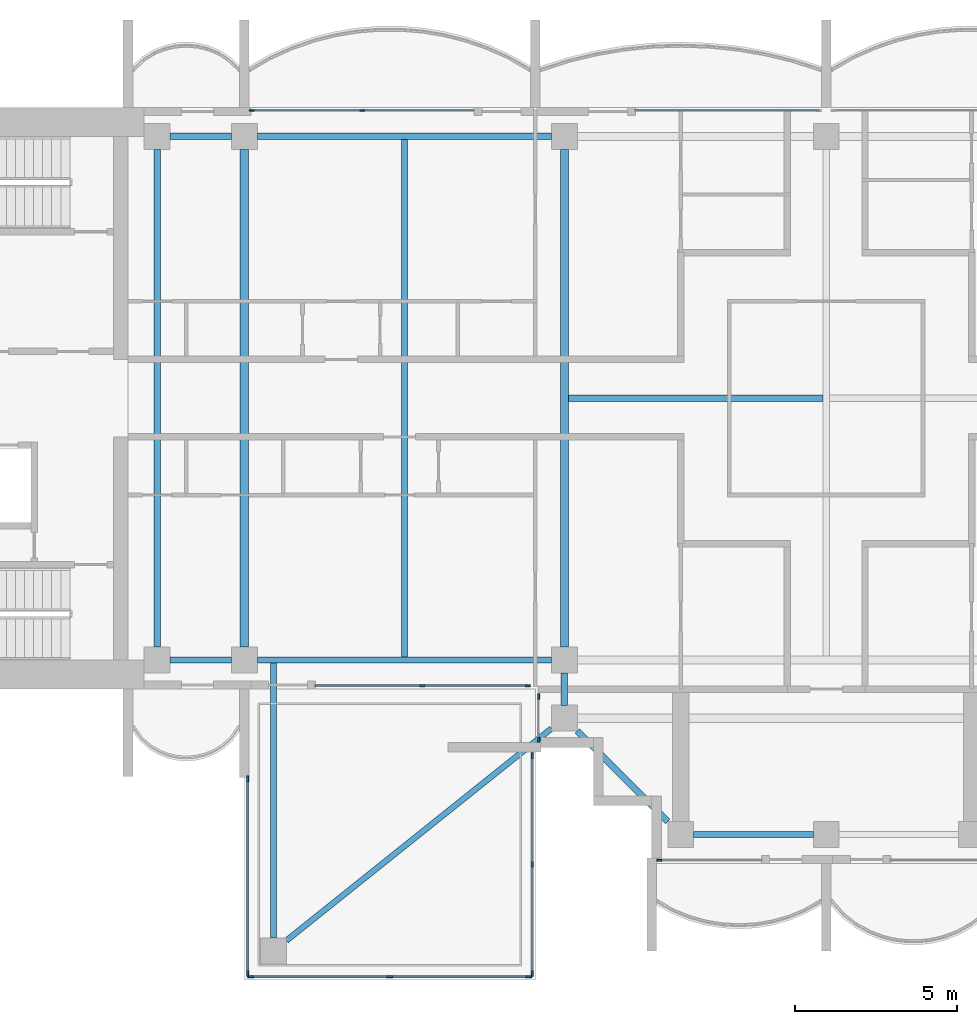
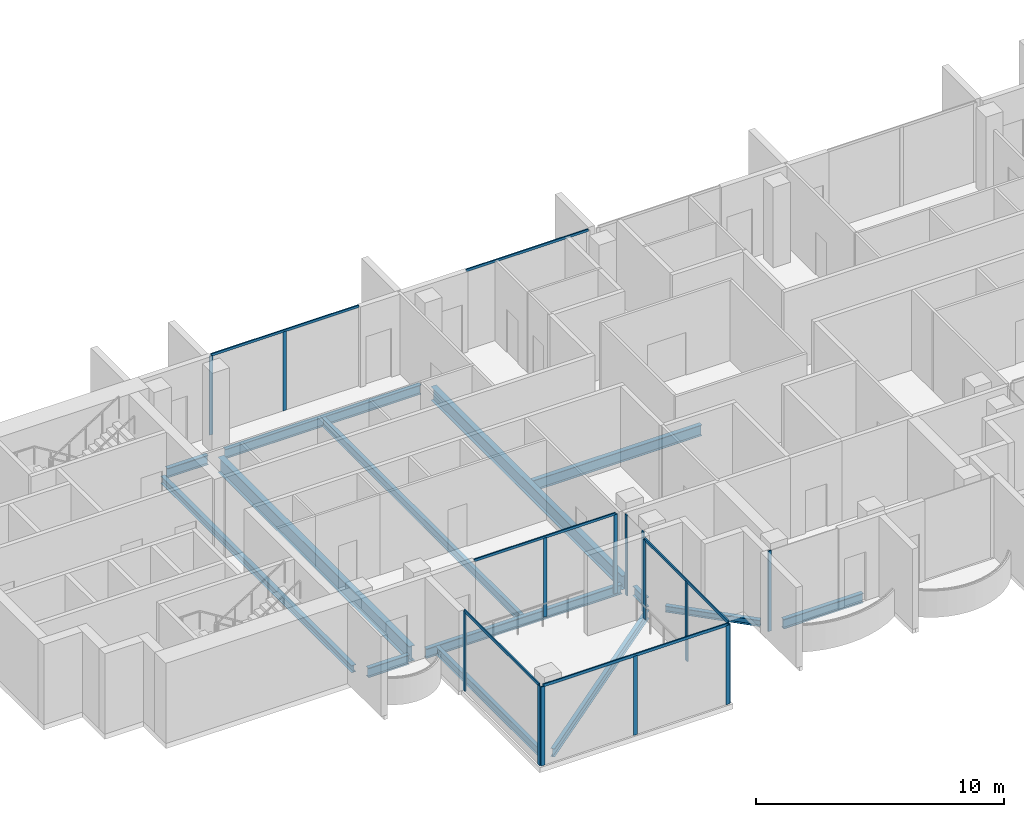
# One storey, part 2 of 16: 21 members, 14 beams, 8 elements without a shape of their own.
"""IFC4 building model written with IfcOpenShell, lengths in metres."""

from ifc_helpers import new_model, si_unit, direction, frame, origin, origin_2d, place, context, subcontext, project, spatial, rectangle, i_section, extrude, material, material_profile, profile_set, type_object, element, aggregate, save


model = new_model("IFC4")

# Units and contexts
model_context = context("Model", 3, precision=1e-05, world=origin(), true_north=direction((0.0, 1.0)))
body_context = subcontext(model_context, "Body", "Model", "MODEL_VIEW")
ifc_project = project(units=[si_unit("LENGTHUNIT", "METRE"), si_unit("AREAUNIT", "SQUARE_METRE"), si_unit("VOLUMEUNIT", "CUBIC_METRE"), si_unit("PLANEANGLEUNIT", "RADIAN"), si_unit("MASSUNIT", "GRAM", prefix="KILO")], contexts=[model_context])

# Site, building, storey
site_placement = place(None, origin())
site = spatial("IfcSite", under=ifc_project, at=site_placement, CompositionType="ELEMENT")
building_placement = place(site_placement, origin())
building = spatial("IfcBuilding", under=site, at=building_placement, Name="Perihelion Cross Residences", CompositionType="ELEMENT")
storey_placement = place(building_placement, frame((0.0, 0.0, 294.60009765625)))
storey = spatial("IfcBuildingStorey", under=building, at=storey_placement, Name="L75", CompositionType="ELEMENT", Elevation=294.60009765625)

# Curtain wall, members
ifc_material_1 = material(Name="Bronze anodised aluminium, tinted glazing", Category="aluminium")
curtain_wall_type_1 = type_object("IfcCurtainWallType", Name="CW1", PredefinedType="NOTDEFINED", material=ifc_material_1)
curtain_wall_1_placement = place(storey_placement, origin())
curtain_wall_1 = element("IfcCurtainWall", 1, at=curtain_wall_1_placement, inside=storey, type_object=curtain_wall_type_1, Name="Curtain wall CW1 L75 west side north bay 1", PredefinedType="NOTDEFINED")
ifc_material_2 = material(Name="Bronze anodised aluminium", Category="aluminium")
ifc_material_profile_1 = material_profile(ifc_material_2, rectangle(XDim=0.06005859375, YDim=0.159912109375, at=origin_2d()), Name="CW1 mullion")
ifc_profile_set_1 = profile_set([ifc_material_profile_1], Name="Bronze anodised aluminium")
member_type_1 = type_object("IfcMemberType", Name="CW1 mullion", PredefinedType="MULLION", material=ifc_profile_set_1)
member_1_placement = place(storey_placement, frame((-14.35009765625, 8.89990234375, 0.0), z_axis=(0.0, 0.0, 1.0), x_axis=(0.0, -1.0, 0.0)))
member_1 = element("IfcMember", 2, at=member_1_placement, type_object=member_type_1, Name="CW1 mullion 2", PredefinedType="MULLION", context=body_context, shape_type="SweptSolid", body=[
    extrude(rectangle(XDim=0.06005859375, YDim=0.159912109375, at=origin_2d()), origin(), (0.0, 0.0, 1.0), 3.889892578125),
])
member_2_placement = place(storey_placement, frame((-17.77001953125, 8.89990234375, 0.0), z_axis=(0.0, 0.0, 1.0), x_axis=(0.0, -1.0, 0.0)))
member_2 = element("IfcMember", 3, at=member_2_placement, type_object=member_type_1, Name="CW1 mullion 3", PredefinedType="MULLION", context=body_context, shape_type="SweptSolid", body=[
    extrude(rectangle(XDim=0.06005859375, YDim=0.159912109375, at=origin_2d()), origin(), (0.0, 0.0, 1.0), 3.889892578125),
])

curtain_wall_2_placement = place(storey_placement, origin())
curtain_wall_2 = element("IfcCurtainWall", 4, at=curtain_wall_2_placement, inside=storey, type_object=curtain_wall_type_1, Name="Curtain wall CW1 L75 west side south bay 2", PredefinedType="NOTDEFINED")
member_3_placement = place(storey_placement, frame((-12.5, -8.89990234375, 0.0), z_axis=(0.0, 0.0, 1.0), x_axis=(0.0, 1.0, 0.0)))
member_3 = element("IfcMember", 5, at=member_3_placement, type_object=member_type_1, Name="CW1 mullion 2", PredefinedType="MULLION", context=body_context, shape_type="SweptSolid", body=[
    extrude(rectangle(XDim=0.06005859375, YDim=0.159912109375, at=origin_2d()), origin(), (0.0, 0.0, 1.0), 3.889892578125),
])
member_4_placement = place(storey_placement, frame((-9.22998046875, -8.89990234375, 0.0), z_axis=(0.0, 0.0, 1.0), x_axis=(0.0, 1.0, 0.0)))
member_4 = element("IfcMember", 6, at=member_4_placement, type_object=member_type_1, Name="CW1 mullion 3", PredefinedType="MULLION", context=body_context, shape_type="SweptSolid", body=[
    extrude(rectangle(XDim=0.06005859375, YDim=0.159912109375, at=origin_2d()), origin(), (0.0, 0.0, 1.0), 3.889892578125),
])

curtain_wall_3_placement = place(storey_placement, origin())
curtain_wall_3 = element("IfcCurtainWall", 7, at=curtain_wall_3_placement, inside=storey, type_object=curtain_wall_type_1, Name="Curtain wall CW1 L75 south side west bay 1", PredefinedType="NOTDEFINED")
member_5_placement = place(storey_placement, frame((-8.89990234375, -9.22998046875, 0.0), z_axis=(0.0, 0.0, 1.0), x_axis=(1.0, 0.0, 0.0)))
member_5 = element("IfcMember", 8, at=member_5_placement, type_object=member_type_1, Name="CW1 mullion 1", PredefinedType="MULLION", context=body_context, shape_type="SweptSolid", body=[
    extrude(rectangle(XDim=0.06005859375, YDim=0.159912109375, at=origin_2d()), origin(), (0.0, 0.0, 1.0), 3.949951171875),
])
member_6_placement = place(storey_placement, frame((-8.89990234375, -10.570068359375, 0.0), z_axis=(0.0, 0.0, 1.0), x_axis=(1.0, 0.0, 0.0)))
member_6 = element("IfcMember", 9, at=member_6_placement, type_object=member_type_1, Name="CW1 mullion 2", PredefinedType="MULLION", context=body_context, shape_type="SweptSolid", body=[
    extrude(rectangle(XDim=0.06005859375, YDim=0.159912109375, at=origin_2d()), origin(), (0.0, 0.0, 1.0), 3.949951171875),
])
aggregate(curtain_wall_3, [member_5, member_6])

# Curtain wall, member
curtain_wall_4_placement = place(storey_placement, origin())
curtain_wall_4 = element("IfcCurtainWall", 10, at=curtain_wall_4_placement, inside=storey, type_object=curtain_wall_type_1, Name="Curtain wall CW1 L75 south tip south bay 1", PredefinedType="NOTDEFINED")
member_7_placement = place(storey_placement, frame((-5.169921875, -14.300048828125, 0.0), z_axis=(0.0, 0.0, 1.0), x_axis=(0.0, 1.0, 0.0)))
member_7 = element("IfcMember", 11, at=member_7_placement, type_object=member_type_1, Name="CW1 mullion 1", PredefinedType="MULLION", context=body_context, shape_type="SweptSolid", body=[
    extrude(rectangle(XDim=0.06005859375, YDim=0.159912109375, at=origin_2d()), origin(), (0.0, 0.0, 1.0), 3.949951171875),
])
aggregate(curtain_wall_4, [member_7])

curtain_wall_5_placement = place(storey_placement, origin())
curtain_wall_5 = element("IfcCurtainWall", 12, at=curtain_wall_5_placement, inside=storey, type_object=curtain_wall_type_1, Name="Curtain wall CW1 L75 north side east bay 2", PredefinedType="NOTDEFINED")
ifc_material_3 = material(Name="Bronze anodised aluminium", Category="aluminium")
ifc_material_profile_2 = material_profile(ifc_material_3, rectangle(XDim=0.06005859375, YDim=0.1201171875, at=origin_2d()), Name="CW1 transom")
ifc_profile_set_2 = profile_set([ifc_material_profile_2], Name="Bronze anodised aluminium")
member_type_2 = type_object("IfcMemberType", Name="CW1 transom", PredefinedType="USERDEFINED", material=ifc_profile_set_2)
member_8_placement = place(storey_placement, frame((-0.22998046875, 8.89990234375, 3.919921875), z_axis=(-1.0, 0.0, 0.0), x_axis=(0.0, -1.0, 0.0)))
member_8 = element("IfcMember", 13, at=member_8_placement, type_object=member_type_2, Name="CW1 head transom", ObjectType="TRANSOM", PredefinedType="USERDEFINED", context=body_context, shape_type="SweptSolid", body=[
    extrude(rectangle(XDim=0.06005859375, YDim=0.1201171875, at=origin_2d()), origin(), (0.0, 0.0, 1.0), 5.669921875),
])
aggregate(curtain_wall_5, [member_8])

# Member
member_9_placement = place(storey_placement, frame((-10.89990234375, 8.89990234375, 3.919921875), z_axis=(-1.0, 0.0, 0.0), x_axis=(0.0, -1.0, 0.0)))
member_9 = element("IfcMember", 14, at=member_9_placement, type_object=member_type_2, Name="CW1 head transom", ObjectType="TRANSOM", PredefinedType="USERDEFINED", context=body_context, shape_type="SweptSolid", body=[
    extrude(rectangle(XDim=0.06005859375, YDim=0.1201171875, at=origin_2d()), origin(), (0.0, 0.0, 1.0), 6.8701171875),
])

aggregate(curtain_wall_1, [member_1, member_2, member_9])

member_10_placement = place(storey_placement, frame((-15.800048828125, -8.89990234375, 3.919921875), z_axis=(1.0, 0.0, 0.0), x_axis=(0.0, 1.0, 0.0)))
member_10 = element("IfcMember", 15, at=member_10_placement, type_object=member_type_2, Name="CW1 head transom", ObjectType="TRANSOM", PredefinedType="USERDEFINED", context=body_context, shape_type="SweptSolid", body=[
    extrude(rectangle(XDim=0.06005859375, YDim=0.1201171875, at=origin_2d()), origin(), (0.0, 0.0, 1.0), 6.570068359375),
])

aggregate(curtain_wall_2, [member_3, member_4, member_10])

# Curtain wall, members
ifc_material_4 = material(Name="Bronze anodised aluminium, tinted glazing", Category="aluminium")
curtain_wall_type_2 = type_object("IfcCurtainWallType", Name="CW4", PredefinedType="NOTDEFINED", material=ifc_material_4)
curtain_wall_6_placement = place(storey_placement, origin())
curtain_wall_6 = element("IfcCurtainWall", 16, at=curtain_wall_6_placement, inside=storey, type_object=curtain_wall_type_2, Name="Curtain wall CW4 L75 pocket south-west 1 1", PredefinedType="NOTDEFINED")
ifc_material_5 = material(Name="Bronze anodised aluminium", Category="aluminium")
ifc_material_profile_3 = material_profile(ifc_material_5, rectangle(XDim=0.06005859375, YDim=0.179931640625, at=origin_2d()), Name="CW4 mullion")
ifc_profile_set_3 = profile_set([ifc_material_profile_3], Name="Bronze anodised aluminium")
member_type_3 = type_object("IfcMemberType", Name="CW4 mullion", PredefinedType="MULLION", material=ifc_profile_set_3)
member_11_placement = place(storey_placement, frame((-9.10009765625, -11.058837890625, 0.0), z_axis=(0.0, 0.0, 1.0), x_axis=(1.0, 0.0, 0.0)))
member_11 = element("IfcMember", 17, at=member_11_placement, type_object=member_type_3, Name="CW4 mullion 1", PredefinedType="MULLION", context=body_context, shape_type="SweptSolid", body=[
    extrude(rectangle(XDim=0.06005859375, YDim=0.179931640625, at=origin_2d()), origin(), (0.0, 0.0, 1.0), 3.889892578125),
])
member_12_placement = place(storey_placement, frame((-9.10009765625, -14.429443359375, 0.0), z_axis=(0.0, 0.0, 1.0), x_axis=(1.0, 0.0, 0.0)))
member_12 = element("IfcMember", 18, at=member_12_placement, type_object=member_type_3, Name="CW4 mullion 2", PredefinedType="MULLION", context=body_context, shape_type="SweptSolid", body=[
    extrude(rectangle(XDim=0.06005859375, YDim=0.179931640625, at=origin_2d()), origin(), (0.0, 0.0, 1.0), 3.889892578125),
])
member_13_placement = place(storey_placement, frame((-9.10009765625, -17.800048828125, 0.0), z_axis=(0.0, 0.0, 1.0), x_axis=(1.0, 0.0, 0.0)))
member_13 = element("IfcMember", 19, at=member_13_placement, type_object=member_type_3, Name="CW4 mullion 3", PredefinedType="MULLION", context=body_context, shape_type="SweptSolid", body=[
    extrude(rectangle(XDim=0.06005859375, YDim=0.179931640625, at=origin_2d()), origin(), (0.0, 0.0, 1.0), 3.889892578125),
])

curtain_wall_7_placement = place(storey_placement, origin())
curtain_wall_7 = element("IfcCurtainWall", 20, at=curtain_wall_7_placement, inside=storey, type_object=curtain_wall_type_2, Name="Curtain wall CW4 L75 pocket south-west 1 2", PredefinedType="NOTDEFINED")
member_14_placement = place(storey_placement, frame((-9.199951171875, -17.89990234375, 0.0), z_axis=(0.0, 0.0, 1.0), x_axis=(0.0, -1.0, 0.0)))
member_14 = element("IfcMember", 21, at=member_14_placement, type_object=member_type_3, Name="CW4 mullion 1", PredefinedType="MULLION", context=body_context, shape_type="SweptSolid", body=[
    extrude(rectangle(XDim=0.06005859375, YDim=0.179931640625, at=origin_2d()), origin(), (0.0, 0.0, 1.0), 3.889892578125),
])
member_15_placement = place(storey_placement, frame((-13.5, -17.89990234375, 0.0), z_axis=(0.0, 0.0, 1.0), x_axis=(0.0, -1.0, 0.0)))
member_15 = element("IfcMember", 22, at=member_15_placement, type_object=member_type_3, Name="CW4 mullion 2", PredefinedType="MULLION", context=body_context, shape_type="SweptSolid", body=[
    extrude(rectangle(XDim=0.06005859375, YDim=0.179931640625, at=origin_2d()), origin(), (0.0, 0.0, 1.0), 3.889892578125),
])
member_16_placement = place(storey_placement, frame((-17.800048828125, -17.89990234375, 0.0), z_axis=(0.0, 0.0, 1.0), x_axis=(0.0, -1.0, 0.0)))
member_16 = element("IfcMember", 23, at=member_16_placement, type_object=member_type_3, Name="CW4 mullion 3", PredefinedType="MULLION", context=body_context, shape_type="SweptSolid", body=[
    extrude(rectangle(XDim=0.06005859375, YDim=0.179931640625, at=origin_2d()), origin(), (0.0, 0.0, 1.0), 3.889892578125),
])

curtain_wall_8_placement = place(storey_placement, origin())
curtain_wall_8 = element("IfcCurtainWall", 24, at=curtain_wall_8_placement, inside=storey, type_object=curtain_wall_type_2, Name="Curtain wall CW4 L75 pocket south-west 1 3", PredefinedType="NOTDEFINED")
member_17_placement = place(storey_placement, frame((-17.89990234375, -17.800048828125, 0.0), z_axis=(0.0, 0.0, 1.0), x_axis=(-1.0, 0.0, 0.0)))
member_17 = element("IfcMember", 25, at=member_17_placement, type_object=member_type_3, Name="CW4 mullion 1", PredefinedType="MULLION", context=body_context, shape_type="SweptSolid", body=[
    extrude(rectangle(XDim=0.06005859375, YDim=0.179931640625, at=origin_2d()), origin(), (0.0, 0.0, 1.0), 3.889892578125),
])
member_18_placement = place(storey_placement, frame((-17.89990234375, -11.77001953125, 0.0), z_axis=(0.0, 0.0, 1.0), x_axis=(-1.0, 0.0, 0.0)))
member_18 = element("IfcMember", 26, at=member_18_placement, type_object=member_type_3, Name="CW4 mullion 2", PredefinedType="MULLION", context=body_context, shape_type="SweptSolid", body=[
    extrude(rectangle(XDim=0.06005859375, YDim=0.179931640625, at=origin_2d()), origin(), (0.0, 0.0, 1.0), 3.889892578125),
])

# Member
ifc_material_6 = material(Name="Bronze anodised aluminium", Category="aluminium")
ifc_material_profile_4 = material_profile(ifc_material_6, rectangle(XDim=0.06005859375, YDim=0.139892578125, at=origin_2d()), Name="CW4 transom")
ifc_profile_set_4 = profile_set([ifc_material_profile_4], Name="Bronze anodised aluminium")
member_type_4 = type_object("IfcMemberType", Name="CW4 transom", PredefinedType="USERDEFINED", material=ifc_profile_set_4)
member_19_placement = place(storey_placement, frame((-9.10009765625, -11.058837890625, 3.919921875), z_axis=(0.0, -1.0, 0.0), x_axis=(1.0, 0.0, 0.0)))
member_19 = element("IfcMember", 27, at=member_19_placement, type_object=member_type_4, Name="CW4 head transom", ObjectType="TRANSOM", PredefinedType="USERDEFINED", context=body_context, shape_type="SweptSolid", body=[
    extrude(rectangle(XDim=0.06005859375, YDim=0.139892578125, at=origin_2d()), origin(), (0.0, 0.0, 1.0), 6.7412109375),
])

aggregate(curtain_wall_6, [member_11, member_12, member_13, member_19])

member_20_placement = place(storey_placement, frame((-9.199951171875, -17.89990234375, 3.919921875), z_axis=(-1.0, 0.0, 0.0), x_axis=(0.0, -1.0, 0.0)))
member_20 = element("IfcMember", 28, at=member_20_placement, type_object=member_type_4, Name="CW4 head transom", ObjectType="TRANSOM", PredefinedType="USERDEFINED", context=body_context, shape_type="SweptSolid", body=[
    extrude(rectangle(XDim=0.06005859375, YDim=0.139892578125, at=origin_2d()), origin(), (0.0, 0.0, 1.0), 8.60009765625),
])

aggregate(curtain_wall_7, [member_14, member_15, member_16, member_20])

member_21_placement = place(storey_placement, frame((-17.89990234375, -17.800048828125, 3.919921875), z_axis=(0.0, 1.0, 0.0), x_axis=(-1.0, 0.0, 0.0)))
member_21 = element("IfcMember", 29, at=member_21_placement, type_object=member_type_4, Name="CW4 head transom", ObjectType="TRANSOM", PredefinedType="USERDEFINED", context=body_context, shape_type="SweptSolid", body=[
    extrude(rectangle(XDim=0.06005859375, YDim=0.139892578125, at=origin_2d()), origin(), (0.0, 0.0, 1.0), 6.030029296875),
])

aggregate(curtain_wall_8, [member_17, member_18, member_21])

# Beams
ifc_material_7 = material(Name="Steel S355", Category="steel")
ifc_material_profile_5 = material_profile(ifc_material_7, i_section(OverallWidth=0.205078125, OverallDepth=0.35302734375, WebThickness=0.009521484375, FlangeThickness=0.016845703125, at=origin_2d()), Name="W360x79")
ifc_profile_set_5 = profile_set([ifc_material_profile_5], Name="Steel S355")
beam_type_1 = type_object("IfcBeamType", Name="Core edge beam W360x79", PredefinedType="BEAM", material=ifc_profile_set_5)
beam_1_placement = place(storey_placement, frame((-20.699951171875, -7.699951171875, -0.426513671875), z_axis=(0.0, 1.0, 0.0), x_axis=(-1.0, 0.0, 0.0)))
element("IfcBeam", 30, at=beam_1_placement, inside=storey, type_object=beam_type_1, Name="Core edge beam TB7 L75 no. 1", PredefinedType="BEAM", context=body_context, shape_type="SweptSolid", body=[
    extrude(i_section(OverallWidth=0.205078125, OverallDepth=0.35302734375, WebThickness=0.009521484375, FlangeThickness=0.016845703125, at=origin_2d()), origin(), (0.0, 0.0, 1.0), 15.39990234375),
])
ifc_material_8 = material(Name="Steel S355", Category="steel")
ifc_material_profile_6 = material_profile(ifc_material_8, i_section(OverallWidth=0.177978515625, OverallDepth=0.406005859375, WebThickness=0.0078125, FlangeThickness=0.0126953125, at=origin_2d()), Name="W410x60")
ifc_profile_set_6 = profile_set([ifc_material_profile_6], Name="Steel S355")
beam_type_2 = type_object("IfcBeamType", Name="Core edge beam W410x60", PredefinedType="BEAM", material=ifc_profile_set_6)
beam_2_placement = place(storey_placement, frame((-17.10009765625, -8.197021484375, -0.453125), z_axis=(0.0, -1.0, 0.0), x_axis=(1.0, 0.0, 0.0)))
element("IfcBeam", 31, at=beam_2_placement, inside=storey, type_object=beam_type_2, Name="Core edge beam TB2 L75 corner no. 1", PredefinedType="BEAM", context=body_context, shape_type="SweptSolid", body=[
    extrude(i_section(OverallWidth=0.177978515625, OverallDepth=0.406005859375, WebThickness=0.0078125, FlangeThickness=0.0126953125, at=origin_2d()), origin(), (0.0, 0.0, 1.0), 8.5029296875),
])
beam_3_placement = place(storey_placement, frame((-8.5, -10.219970703125, -0.453125), z_axis=(-0.780864273032, -0.624700718027, 0.0), x_axis=(0.624700718027, -0.780864273032, 0.0)))
element("IfcBeam", 32, at=beam_3_placement, inside=storey, type_object=beam_type_2, Name="Core edge beam TB2 L75 corner no. 2", PredefinedType="BEAM", context=body_context, shape_type="SweptSolid", body=[
    extrude(i_section(OverallWidth=0.177978515625, OverallDepth=0.406005859375, WebThickness=0.0078125, FlangeThickness=0.0126953125, at=origin_2d()), origin(), (0.0, 0.0, 1.0), 10.501220703125),
])
ifc_material_9 = material(Name="Steel S355", Category="steel")
ifc_material_profile_7 = material_profile(ifc_material_9, i_section(OverallWidth=0.194091796875, OverallDepth=0.469970703125, WebThickness=0.0126953125, FlangeThickness=0.0205078125, at=origin_2d()), Name="W460x106")
ifc_profile_set_7 = profile_set([ifc_material_profile_7], Name="Steel S355")
beam_type_3 = type_object("IfcBeamType", Name="Edge beam W460x106", PredefinedType="SPANDREL", material=ifc_profile_set_7)
beam_4_placement = place(storey_placement, frame((-8.5, 8.10009765625, -0.485107421875), z_axis=(-1.0, 0.0, 0.0), x_axis=(0.0, -1.0, 0.0)))
element("IfcBeam", 33, at=beam_4_placement, inside=storey, type_object=beam_type_3, Name="Edge beam SB5 L75 no. 6", PredefinedType="SPANDREL", context=body_context, shape_type="SweptSolid", body=[
    extrude(i_section(OverallWidth=0.194091796875, OverallDepth=0.469970703125, WebThickness=0.0126953125, FlangeThickness=0.0205078125, at=origin_2d()), origin(), (0.0, 0.0, 1.0), 9.10009765625),
])
for number, where, z_axis, x_axis, name in (
    (34, (-18.39990234375, 8.10009765625, -0.485107421875), (-1.0, 0.0, 0.0), (0.0, -1.0, 0.0), "Edge beam SB5 L75 no. 2"),
    (35, (-20.300048828125, -8.10009765625, -0.485107421875), (1.0, 0.0, 0.0), (0.0, 1.0, 0.0), "Edge beam SB5 L75 no. 3"),
):
    element("IfcBeam", number, at=place(storey_placement, frame(where, z_axis=z_axis, x_axis=x_axis)), inside=storey, type_object=beam_type_3, Name=name, PredefinedType="SPANDREL", context=body_context, shape_type="SweptSolid", body=[
        extrude(i_section(OverallWidth=0.194091796875, OverallDepth=0.469970703125, WebThickness=0.0126953125, FlangeThickness=0.0205078125, at=origin_2d()), origin(), (0.0, 0.0, 1.0), 1.900146484375),
    ])
beam_5_placement = place(storey_placement, frame((-17.60009765625, -8.10009765625, -0.485107421875), z_axis=(1.0, 0.0, 0.0), x_axis=(0.0, 1.0, 0.0)))
element("IfcBeam", 36, at=beam_5_placement, inside=storey, type_object=beam_type_3, Name="Edge beam SB5 L75 no. 1", PredefinedType="SPANDREL", context=body_context, shape_type="SweptSolid", body=[
    extrude(i_section(OverallWidth=0.194091796875, OverallDepth=0.469970703125, WebThickness=0.0126953125, FlangeThickness=0.0205078125, at=origin_2d()), origin(), (0.0, 0.0, 1.0), 9.10009765625),
])
beam_6_placement = place(storey_placement, frame((-8.10009765625, -8.5, -0.485107421875), z_axis=(0.0, -1.0, 0.0), x_axis=(1.0, 0.0, 0.0)))
element("IfcBeam", 37, at=beam_6_placement, inside=storey, type_object=beam_type_3, Name="Edge beam SB5 L75 no. 5", PredefinedType="SPANDREL", context=body_context, shape_type="SweptSolid", body=[
    extrude(i_section(OverallWidth=0.194091796875, OverallDepth=0.469970703125, WebThickness=0.0126953125, FlangeThickness=0.0205078125, at=origin_2d()), origin(), (0.0, 0.0, 1.0), 1.0),
])
beam_7_placement = place(storey_placement, frame((-4.10009765625, -13.5, -0.485107421875), z_axis=(1.0, 0.0, 0.0), x_axis=(0.0, 1.0, 0.0)))
element("IfcBeam", 38, at=beam_7_placement, inside=storey, type_object=beam_type_3, Name="Edge beam SB5 L75 no. 4", PredefinedType="SPANDREL", context=body_context, shape_type="SweptSolid", body=[
    extrude(i_section(OverallWidth=0.194091796875, OverallDepth=0.469970703125, WebThickness=0.0126953125, FlangeThickness=0.0205078125, at=origin_2d()), origin(), (0.0, 0.0, 1.0), 3.7001953125),
])
ifc_material_10 = material(Name="Steel S355", Category="steel")
ifc_material_profile_8 = material_profile(ifc_material_10, i_section(OverallWidth=0.26708984375, OverallDepth=0.75390625, WebThickness=0.01318359375, FlangeThickness=0.01708984375, at=origin_2d()), Name="W760x147")
ifc_profile_set_8 = profile_set([ifc_material_profile_8], Name="Steel S355")
beam_type_4 = type_object("IfcBeamType", Name="Floor girder W760x147", PredefinedType="BEAM", material=ifc_profile_set_8)
beam_8_placement = place(storey_placement, frame((-18.0, -7.699951171875, -0.627197265625), z_axis=(0.0, 1.0, 0.0), x_axis=(-1.0, 0.0, 0.0)))
element("IfcBeam", 39, at=beam_8_placement, inside=storey, type_object=beam_type_4, Name="Girder G5 L75 no. 1", PredefinedType="BEAM", context=body_context, shape_type="SweptSolid", body=[
    extrude(i_section(OverallWidth=0.26708984375, OverallDepth=0.75390625, WebThickness=0.01318359375, FlangeThickness=0.01708984375, at=origin_2d()), origin(), (0.0, 0.0, 1.0), 15.39990234375),
])
ifc_material_11 = material(Name="Steel S355", Category="steel")
ifc_material_profile_9 = material_profile(ifc_material_11, i_section(OverallWidth=0.177978515625, OverallDepth=0.406005859375, WebThickness=0.0078125, FlangeThickness=0.0126953125, at=origin_2d()), Name="W410x60")
ifc_profile_set_9 = profile_set([ifc_material_profile_9], Name="Steel S355")
beam_type_5 = type_object("IfcBeamType", Name="Floor joist W410x60", PredefinedType="JOIST", material=ifc_profile_set_9)
beam_9_placement = place(storey_placement, frame((-13.050048828125, -8.0029296875, -0.453125), z_axis=(0.0, 1.0, 0.0), x_axis=(-1.0, 0.0, 0.0)))
element("IfcBeam", 40, at=beam_9_placement, inside=storey, type_object=beam_type_5, Name="Joist J6 L75 no. 1", PredefinedType="JOIST", context=body_context, shape_type="SweptSolid", body=[
    extrude(i_section(OverallWidth=0.177978515625, OverallDepth=0.406005859375, WebThickness=0.0078125, FlangeThickness=0.0126953125, at=origin_2d()), origin(), (0.0, 0.0, 1.0), 16.005859375),
])
ifc_material_12 = material(Name="Steel S355", Category="steel")
ifc_material_profile_10 = material_profile(ifc_material_12, i_section(OverallWidth=0.208984375, OverallDepth=0.532958984375, WebThickness=0.01025390625, FlangeThickness=0.015625, at=origin_2d()), Name="W530x92")
ifc_profile_set_10 = profile_set([ifc_material_profile_10], Name="Steel S355")
beam_type_6 = type_object("IfcBeamType", Name="Hub cross beam W530x92", PredefinedType="BEAM", material=ifc_profile_set_10)
beam_10_placement = place(storey_placement, frame((-7.972900390625, 0.0, -0.5166015625), z_axis=(1.0, 0.0, 0.0), x_axis=(0.0, 1.0, 0.0)))
element("IfcBeam", 41, at=beam_10_placement, inside=storey, type_object=beam_type_6, Name="Hub cross beam XB5 L75 1 no. 1", PredefinedType="BEAM", context=body_context, shape_type="SweptSolid", body=[
    extrude(i_section(OverallWidth=0.208984375, OverallDepth=0.532958984375, WebThickness=0.01025390625, FlangeThickness=0.015625, at=origin_2d()), origin(), (0.0, 0.0, 1.0), 7.868408203125),
])
ifc_material_13 = material(Name="Steel S355", Category="steel")
ifc_material_profile_11 = material_profile(ifc_material_13, i_section(OverallWidth=0.25390625, OverallDepth=0.677978515625, WebThickness=0.01171875, FlangeThickness=0.016357421875, at=origin_2d()), Name="W690x125")
ifc_profile_set_11 = profile_set([ifc_material_profile_11], Name="Steel S355")
beam_type_7 = type_object("IfcBeamType", Name="Hub ring girder W690x125", PredefinedType="BEAM", material=ifc_profile_set_11)
beam_11_placement = place(storey_placement, frame((-8.10009765625, 7.699951171875, -0.589111328125), z_axis=(0.0, -1.0, 0.0), x_axis=(1.0, 0.0, 0.0)))
element("IfcBeam", 42, at=beam_11_placement, inside=storey, type_object=beam_type_7, Name="Hub ring girder RG5 L75 no. 2", PredefinedType="BEAM", context=body_context, shape_type="SweptSolid", body=[
    extrude(i_section(OverallWidth=0.25390625, OverallDepth=0.677978515625, WebThickness=0.01171875, FlangeThickness=0.016357421875, at=origin_2d()), origin(), (0.0, 0.0, 1.0), 15.39990234375),
])
ifc_material_14 = material(Name="Steel S355", Category="steel")
ifc_material_profile_12 = material_profile(ifc_material_14, i_section(OverallWidth=0.202880859375, OverallDepth=0.302001953125, WebThickness=0.007568359375, FlangeThickness=0.01318359375, at=origin_2d()), Name="W310x60")
ifc_profile_set_12 = profile_set([ifc_material_profile_12], Name="Steel S355")
beam_type_8 = type_object("IfcBeamType", Name="Serration edge beam W310x60", PredefinedType="BEAM", material=ifc_profile_set_12)
beam_12_placement = place(storey_placement, frame((-7.699951171875, -10.300048828125, -0.401123046875), z_axis=(0.707106781187, -0.707106781187, 0.0), x_axis=(0.707106781187, 0.707106781187, 0.0)))
element("IfcBeam", 43, at=beam_12_placement, inside=storey, type_object=beam_type_8, Name="Serration edge beam EB5 L75 no. 1", PredefinedType="BEAM", context=body_context, shape_type="SweptSolid", body=[
    extrude(i_section(OverallWidth=0.202880859375, OverallDepth=0.302001953125, WebThickness=0.007568359375, FlangeThickness=0.01318359375, at=origin_2d()), origin(), (0.0, 0.0, 1.0), 3.9599609375),
])

save(model, "model.ifc")
